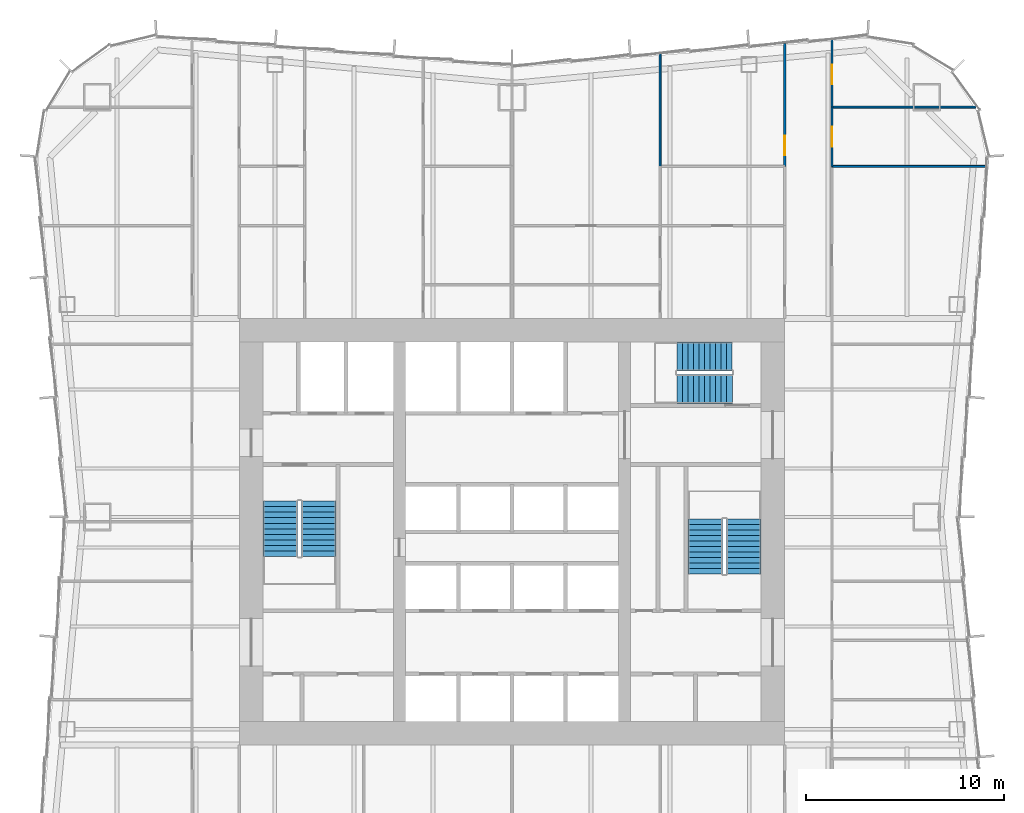
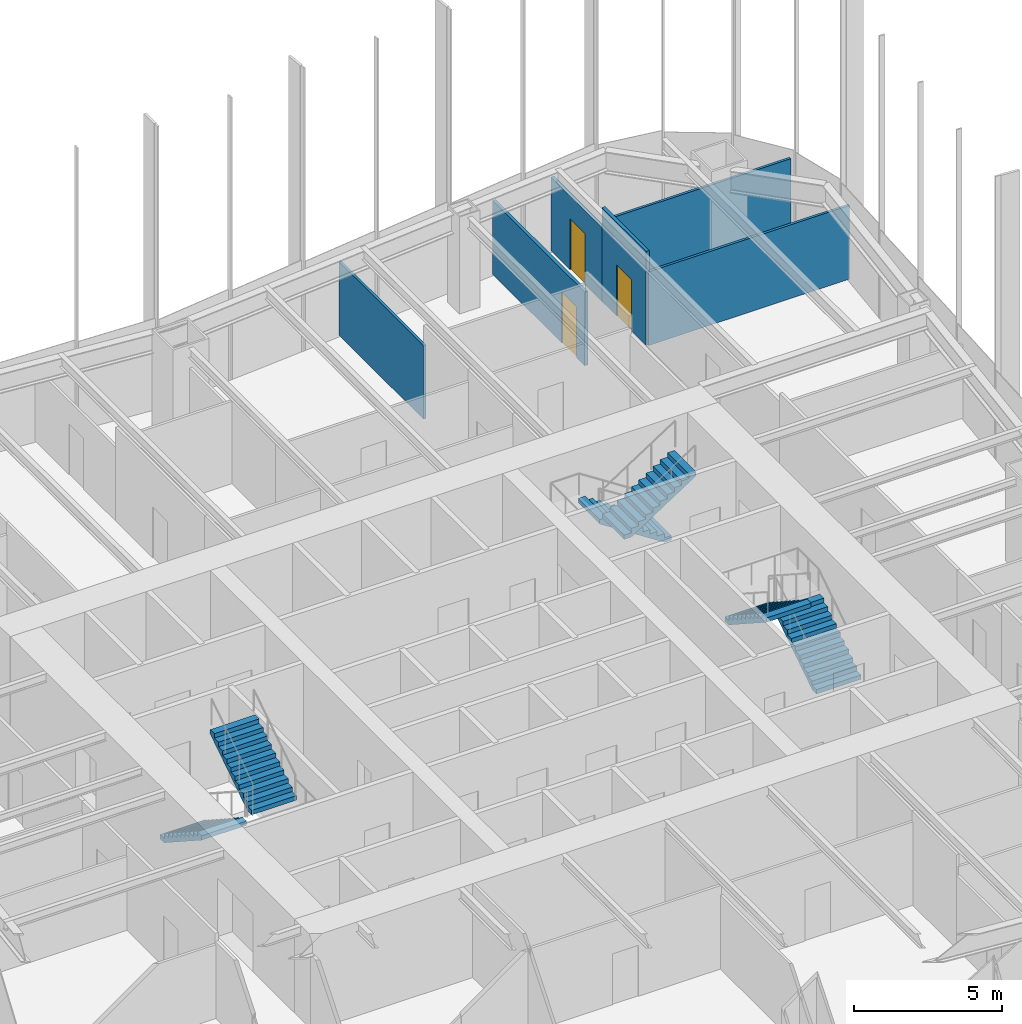
# One storey, part 12 of 13: 6 stair flights, 6 walls, 3 doors, 3 openings, 3 elements without a shape of their own.
"""IFC4 building model written with IfcOpenShell, lengths in metres."""

import ifcopenshell
import ifcopenshell.guid

model = None  # the IFC model being written
_history = None  # IfcOwnerHistory: only IFC2X3 demands one
_inside = {}  # id of a spatial element -> (the spatial element, [elements in it])
_under = {}  # id of a project, library or spatial element -> (it, [spatial elements below it])
_declared = {}  # id of a project -> (the project, [libraries it declares])
_typed = {}  # id of a type object -> (the type object, [elements of that type])
_made_of = {}  # id of a material, layer set ... -> (it, [elements and type objects made of it])


def new_model(schema):
    """Start an empty IFC model of exactly this schema.

    Asked for "IFC4X3", IfcOpenShell would pick the latest addendum, in which some entities
    have other attributes; the version numbers below select the first issue.
    IFC2X3 requires an IfcOwnerHistory on every rooted entity: one is made here for all.
    """
    global model, _history
    if schema == "IFC4X3":
        model = ifcopenshell.file(schema_version=(4, 3, 0, 0))
    else:
        model = ifcopenshell.file(schema=schema)
    _inside.clear()
    _under.clear()
    _declared.clear()
    _typed.clear()
    _made_of.clear()
    _history = None
    if model.schema == "IFC2X3":
        org = make("IfcOrganization", Name="unknown")
        user = make(
            "IfcPersonAndOrganization",
            ThePerson=make("IfcPerson", FamilyName="unknown"),
            TheOrganization=org,
        )
        app = make(
            "IfcApplication",
            ApplicationDeveloper=org,
            Version="unknown",
            ApplicationFullName="unknown",
            ApplicationIdentifier="unknown",
        )
        _history = make(
            "IfcOwnerHistory",
            OwningUser=user,
            OwningApplication=app,
            ChangeAction="ADDED",
            CreationDate=0,
        )
    return model


def make(cls, **values):
    """One entity of the class cls with the attributes given. An attribute that is None is left unset."""
    return model.create_entity(
        cls, **{name: value for name, value in values.items() if value is not None}
    )


def rooted(cls, **values):
    """An entity with a GlobalId (a new one), such as an element, a storey or a relation."""
    return make(cls, GlobalId=ifcopenshell.guid.new(), OwnerHistory=_history, **values)


def si_unit(unit_type, name, prefix=None):
    """IfcSIUnit, for example si_unit("LENGTHUNIT", "METRE", prefix="MILLI")."""
    return make("IfcSIUnit", UnitType=unit_type, Prefix=prefix, Name=name)


def assignment(units):
    """IfcUnitAssignment: the units of a project."""
    return None if units is None else make("IfcUnitAssignment", Units=units)


def point(xyz):
    """IfcCartesianPoint."""
    return None if xyz is None else make("IfcCartesianPoint", Coordinates=xyz)


def direction(xyz):
    """IfcDirection."""
    return None if xyz is None else make("IfcDirection", DirectionRatios=xyz)


def frame(location, z_axis=None, x_axis=None):
    """IfcAxis2Placement3D, a coordinate frame: its origin and axes. An axis left out is left unset."""
    return make(
        "IfcAxis2Placement3D",
        Location=point(location),
        Axis=direction(z_axis),
        RefDirection=direction(x_axis),
    )


def frame_2d(location, x_axis=None):
    """IfcAxis2Placement2D, a coordinate frame in the plane: its origin and x axis."""
    return make(
        "IfcAxis2Placement2D", Location=point(location), RefDirection=direction(x_axis)
    )


def origin():
    """The frame at (0, 0, 0) with its axes left unset."""
    return frame((0.0, 0.0, 0.0))


def place(relative_to, where):
    """IfcLocalPlacement: puts the frame where relative to a parent placement (None: the world)."""
    return make(
        "IfcLocalPlacement", PlacementRelTo=relative_to, RelativePlacement=where
    )


def context(
    kind, dimensions, precision=None, world=None, true_north=None, identifier=None
):
    """IfcGeometricRepresentationContext, for example the 3D "Model" context."""
    return make(
        "IfcGeometricRepresentationContext",
        ContextIdentifier=identifier,
        ContextType=kind,
        CoordinateSpaceDimension=dimensions,
        Precision=precision,
        WorldCoordinateSystem=world,
        TrueNorth=true_north,
    )


def subcontext(parent, identifier, kind, view, scale=None):
    """IfcGeometricRepresentationSubContext, for example "Body" below "Model"."""
    return make(
        "IfcGeometricRepresentationSubContext",
        ContextIdentifier=identifier,
        ContextType=kind,
        ParentContext=parent,
        TargetScale=scale,
        TargetView=view,
    )


def project(units=None, contexts=None):
    """IfcProject with its units and contexts."""
    return rooted(
        "IfcProject",
        Name="project",
        RepresentationContexts=contexts,
        UnitsInContext=assignment(units),
    )


def spatial(cls, under=None, at=None, **own):
    """A site, building, storey or space (cls), placed at a placement, below another one or the project."""
    s = rooted(cls, ObjectPlacement=at, **own)
    if under is not None:
        _under.setdefault(under.id(), (under, []))[1].append(s)
    return s


def polyline(points):
    """IfcPolyline through the points."""
    return make("IfcPolyline", Points=[point(p) for p in points])


def profile(cls, at=None, kind="AREA", **sizes):
    """A parametric profile (cls). Its sizes go by their IFC names, for example OverallWidth=200.0."""
    return make(cls, ProfileType=kind, Position=at, **sizes)


def rectangle(**sizes):
    """IfcRectangleProfileDef."""
    return profile("IfcRectangleProfileDef", **sizes)


def outline(outer, holes=None, kind="AREA"):
    """IfcArbitraryClosedProfileDef: a profile drawn as a closed curve; with holes, ...WithVoids."""
    if holes is None:
        return make("IfcArbitraryClosedProfileDef", ProfileType=kind, OuterCurve=outer)
    return make(
        "IfcArbitraryProfileDefWithVoids",
        ProfileType=kind,
        OuterCurve=outer,
        InnerCurves=holes,
    )


def extrude(swept, where, along, depth):
    """IfcExtrudedAreaSolid: the profile swept, set in the frame where, extruded along a direction by depth."""
    return make(
        "IfcExtrudedAreaSolid",
        SweptArea=swept,
        Position=where,
        ExtrudedDirection=direction(along),
        Depth=depth,
    )


def shape(context_of_items, identifier, shape_type, items):
    """IfcShapeRepresentation: the items that make up one representation, for example the "Body"."""
    return make(
        "IfcShapeRepresentation",
        ContextOfItems=context_of_items,
        RepresentationIdentifier=identifier,
        RepresentationType=shape_type,
        Items=items,
    )


def material(Name=None, Category=None):
    """IfcMaterial."""
    return make("IfcMaterial", Name=Name, Category=Category)


def layer(
    of_material, thickness, ventilated=None, Name=None, Category=None, Priority=None
):
    """IfcMaterialLayer: one layer of a wall or slab, of a material (None: an air gap)."""
    return make(
        "IfcMaterialLayer",
        Material=of_material,
        LayerThickness=thickness,
        IsVentilated=ventilated,
        Name=Name,
        Category=Category,
        Priority=Priority,
    )


def layer_set(layers, Name=None):
    """IfcMaterialLayerSet."""
    return make("IfcMaterialLayerSet", MaterialLayers=layers, LayerSetName=Name)


def made_of(thing, what):
    """Note that an element or type object is made of a material, layer set ...; save() writes the relation."""
    if what is not None:
        _made_of.setdefault(what.id(), (what, []))[1].append(thing)
    return thing


def type_object(cls, material=None, **own):
    """A type object (cls), such as IfcWallType, which elements share."""
    return made_of(rooted(cls, **own), material)


def element(
    cls,
    number,
    at=None,
    inside=None,
    cuts=None,
    type_object=None,
    material=None,
    context=None,
    identifier="Body",
    shape_type=None,
    held_by="IfcProductDefinitionShape",
    body=None,
    shapes=None,
    **own,
):
    """One element of the class cls, such as IfcWall. Its Tag is "e" and its number.

    at: its placement. inside: the storey or other place that contains it. cuts: it is an
    opening in that element (IfcRelVoidsElement). A single representation is given by context,
    identifier, shape_type and body (its items); several are given by shapes. held_by: the class
    of the entity that holds the representations. save() writes the other relations.
    """
    e = rooted(cls, Tag="e%d" % number, ObjectPlacement=at, **own)
    if body is not None:
        shapes = [shape(context, identifier, shape_type, body)]
    if shapes is not None:
        e.Representation = make(held_by, Representations=shapes)
    if inside is not None:
        _inside.setdefault(inside.id(), (inside, []))[1].append(e)
    if cuts is not None:
        rooted(
            "IfcRelVoidsElement", RelatingBuildingElement=cuts, RelatedOpeningElement=e
        )
    if type_object is not None:
        _typed.setdefault(type_object.id(), (type_object, []))[1].append(e)
    return made_of(e, material)


def fill(opening, filler):
    """IfcRelFillsElement: the door or window that sits in an opening."""
    return rooted(
        "IfcRelFillsElement",
        RelatingOpeningElement=opening,
        RelatedBuildingElement=filler,
    )


def aggregate(whole, parts):
    """IfcRelAggregates: a whole, such as a stair, and the parts it consists of."""
    return rooted("IfcRelAggregates", RelatingObject=whole, RelatedObjects=parts)


def save(model, path):
    """Write the relations noted so far, then the file.

    IfcRelAggregates (storeys below a building ...), IfcRelContainedInSpatialStructure (elements
    in a storey), IfcRelDefinesByType, IfcRelAssociatesMaterial and IfcRelDeclares: one each for
    every whole, place, type object, material and project.
    """
    for whole, parts in _under.values():
        aggregate(whole, parts)
    for where, things in _inside.values():
        rooted(
            "IfcRelContainedInSpatialStructure",
            RelatedElements=things,
            RelatingStructure=where,
        )
    for kind, things in _typed.values():
        rooted("IfcRelDefinesByType", RelatedObjects=things, RelatingType=kind)
    for what, things in _made_of.values():
        rooted("IfcRelAssociatesMaterial", RelatedObjects=things, RelatingMaterial=what)
    for by, libraries in _declared.values():
        rooted("IfcRelDeclares", RelatingContext=by, RelatedDefinitions=libraries)
    model.write(path)


model = new_model("IFC4")

# Units and contexts
model_context = context("Model", 3, precision=1e-05, world=origin(), true_north=direction((0.0, 1.0)))
body_context = subcontext(model_context, "Body", "Model", "MODEL_VIEW")
ifc_project = project(units=[si_unit("LENGTHUNIT", "METRE"), si_unit("AREAUNIT", "SQUARE_METRE"), si_unit("VOLUMEUNIT", "CUBIC_METRE"), si_unit("PLANEANGLEUNIT", "RADIAN"), si_unit("MASSUNIT", "GRAM", prefix="KILO")], contexts=[model_context])

# Site, building, storey
site_placement = place(None, origin())
site = spatial("IfcSite", under=ifc_project, at=site_placement, CompositionType="ELEMENT")
building_placement = place(site_placement, origin())
building = spatial("IfcBuilding", under=site, at=building_placement, Name="Verdant Reach Tower", CompositionType="ELEMENT")
storey_placement = place(building_placement, frame((0.0, 0.0, 70.0)))
storey = spatial("IfcBuildingStorey", under=building, at=storey_placement, Name="L15", CompositionType="ELEMENT", Elevation=70.0)

# Walls
ifc_material_1 = material(Name="Gypsum board on steel studs", Category="steel")
ifc_layer_1 = layer(ifc_material_1, 0.10009765625)
ifc_layer_set_1 = layer_set([ifc_layer_1], Name="FL-W1 Partition 100")
wall_type_1 = type_object("IfcWallType", Name="FL-W1 Partition 100", PredefinedType="PARTITIONING", material=ifc_layer_set_1)
wall_1_placement = place(storey_placement, frame((24.038818359375, 46.5, 0.0), z_axis=(0.0, 0.0, 1.0), x_axis=(-1.0, 0.0, 0.0)))
element("IfcWall", 1, at=wall_1_placement, inside=storey, type_object=wall_type_1, Name="Partition 15.41", PredefinedType="PARTITIONING", context=body_context, shape_type="SweptSolid", body=[
    extrude(rectangle(XDim=7.8388671875, YDim=0.10009765625, at=frame_2d((3.91943359375, 0.0))), origin(), (0.0, 0.0, 1.0), 3.0400390625),
])
wall_2_placement = place(storey_placement, frame((23.487060546875, 49.5, 0.0), z_axis=(0.0, 0.0, 1.0), x_axis=(-1.0, 0.0, 0.0)))
element("IfcWall", 2, at=wall_2_placement, inside=storey, type_object=wall_type_1, Name="Partition 15.42", PredefinedType="PARTITIONING", context=body_context, shape_type="SweptSolid", body=[
    extrude(rectangle(XDim=7.287109375, YDim=0.10009765625, at=frame_2d((3.6435546875, 0.0))), origin(), (0.0, 0.0, 1.0), 3.340087890625),
])
wall_3_placement = place(storey_placement, frame((7.5, 52.205078125, 0.0), z_axis=(0.0, 0.0, 1.0), x_axis=(0.0, -1.0, 0.0)))
element("IfcWall", 3, at=wall_3_placement, inside=storey, type_object=wall_type_1, Name="Partition 15.76", PredefinedType="PARTITIONING", context=body_context, shape_type="SweptSolid", body=[
    extrude(rectangle(XDim=5.708984375, YDim=0.10009765625, at=frame_2d((2.8544921875, 0.0))), origin(), (0.0, 0.0, 1.0), 3.0400390625),
])

# Wall, opening, door
ifc_material_2 = material(Name="Gypsum board on steel studs, fire rated", Category="steel")
ifc_layer_2 = layer(ifc_material_2, 0.125)
ifc_layer_set_2 = layer_set([ifc_layer_2], Name="FL-W2 Corridor wall 125")
wall_type_2 = type_object("IfcWallType", Name="FL-W2 Corridor wall 125", PredefinedType="PARTITIONING", material=ifc_layer_set_2)
wall_4_placement = place(storey_placement, frame((16.199951171875, 49.5, 0.0), z_axis=(0.0, 0.0, 1.0), x_axis=(0.0, -1.0, 0.0)))
wall_4 = element("IfcWall", 4, at=wall_4_placement, inside=storey, type_object=wall_type_2, Name="Partition 15.21", PredefinedType="PARTITIONING", context=body_context, shape_type="SweptSolid", body=[
    extrude(rectangle(XDim=3.0, YDim=0.125, at=frame_2d((1.5, 0.0))), origin(), (0.0, 0.0, 1.0), 3.8701171875),
])
opening_1_placement = place(wall_4_placement, frame((1.0, 0.0, 0.0)))
opening_1 = element("IfcOpeningElement", 5, at=opening_1_placement, cuts=wall_4, Name="Opening D2", PredefinedType="OPENING", context=body_context, shape_type="SweptSolid", body=[
    extrude(rectangle(XDim=1.0, YDim=2.10009765625, at=frame_2d((0.5, 1.050048828125))), frame((0.0, 0.072509765625, 0.0), z_axis=(0.0, -1.0, 0.0), x_axis=(1.0, 0.0, 0.0)), (0.0, 0.0, 1.0), 0.14501953125),
])
ifc_material_3 = material(Name="Timber door leaf, fire rated", Category="wood")
door_type = type_object("IfcDoorType", Name="FL-D2 Entrance door 1000x2100 FD30", OperationType="NOTDEFINED", PredefinedType="DOOR", material=ifc_material_3)
door_1_placement = place(opening_1_placement, origin())
door_1 = element("IfcDoor", 6, at=door_1_placement, inside=storey, type_object=door_type, Name="Door 15-017", OperationType="SINGLE_SWING_LEFT", OverallHeight=2.10009765625, OverallWidth=1.0, PredefinedType="DOOR", context=body_context, shape_type="SweptSolid", body=[
    extrude(rectangle(XDim=1.0, YDim=2.10009765625, at=frame_2d((0.5, 1.050048828125))), frame((0.0, 0.02490234375, 0.0), z_axis=(0.0, -1.0, 0.0), x_axis=(1.0, 0.0, 0.0)), (0.0, 0.0, 1.0), 0.050048828125),
])
fill(opening_1, door_1)

wall_5_placement = place(storey_placement, frame((16.199951171875, 52.929931640625, 0.0), z_axis=(0.0, 0.0, 1.0), x_axis=(0.0, -1.0, 0.0)))
wall_5 = element("IfcWall", 7, at=wall_5_placement, inside=storey, type_object=wall_type_2, Name="Partition 15.22", PredefinedType="PARTITIONING", context=body_context, shape_type="SweptSolid", body=[
    extrude(rectangle(XDim=3.429931640625, YDim=0.125, at=frame_2d((1.71484375, 0.0))), origin(), (0.0, 0.0, 1.0), 3.0400390625),
])
opening_2_placement = place(wall_5_placement, frame((1.280029296875, 0.0, 0.0)))
opening_2 = element("IfcOpeningElement", 8, at=opening_2_placement, cuts=wall_5, Name="Opening D2", PredefinedType="OPENING", context=body_context, shape_type="SweptSolid", body=[
    extrude(rectangle(XDim=1.0, YDim=2.10009765625, at=frame_2d((0.5, 1.050048828125))), frame((0.0, 0.072509765625, 0.0), z_axis=(0.0, -1.0, 0.0), x_axis=(1.0, 0.0, 0.0)), (0.0, 0.0, 1.0), 0.14501953125),
])
door_2_placement = place(opening_2_placement, origin())
door_2 = element("IfcDoor", 9, at=door_2_placement, inside=storey, type_object=door_type, Name="Door 15-018", OperationType="SINGLE_SWING_RIGHT", OverallHeight=2.10009765625, OverallWidth=1.0, PredefinedType="DOOR", context=body_context, shape_type="SweptSolid", body=[
    extrude(rectangle(XDim=1.0, YDim=2.10009765625, at=frame_2d((0.5, 1.050048828125))), frame((0.0, 0.02490234375, 0.0), z_axis=(0.0, -1.0, 0.0), x_axis=(1.0, 0.0, 0.0)), (0.0, 0.0, 1.0), 0.050048828125),
])
fill(opening_2, door_2)

wall_6_placement = place(storey_placement, frame((13.800048828125, 46.5, 0.0), z_axis=(0.0, 0.0, 1.0), x_axis=(0.0, 1.0, 0.0)))
wall_6 = element("IfcWall", 10, at=wall_6_placement, inside=storey, type_object=wall_type_2, Name="Partition 15.28", PredefinedType="PARTITIONING", context=body_context, shape_type="SweptSolid", body=[
    extrude(rectangle(XDim=6.22998046875, YDim=0.125, at=frame_2d((3.114990234375, 0.0))), origin(), (0.0, 0.0, 1.0), 3.0400390625),
])
opening_3_placement = place(wall_6_placement, frame((0.5498046875, 0.0, 0.0)))
opening_3 = element("IfcOpeningElement", 11, at=opening_3_placement, cuts=wall_6, Name="Opening D2", PredefinedType="OPENING", context=body_context, shape_type="SweptSolid", body=[
    extrude(rectangle(XDim=1.0, YDim=2.10009765625, at=frame_2d((0.5, 1.050048828125))), frame((0.0, 0.072509765625, 0.0), z_axis=(0.0, -1.0, 0.0), x_axis=(1.0, 0.0, 0.0)), (0.0, 0.0, 1.0), 0.14501953125),
])
door_3_placement = place(opening_3_placement, origin())
door_3 = element("IfcDoor", 12, at=door_3_placement, inside=storey, type_object=door_type, Name="Door 15-022", OperationType="SINGLE_SWING_LEFT", OverallHeight=2.10009765625, OverallWidth=1.0, PredefinedType="DOOR", context=body_context, shape_type="SweptSolid", body=[
    extrude(rectangle(XDim=1.0, YDim=2.10009765625, at=frame_2d((0.5, 1.050048828125))), frame((0.0, 0.02490234375, 0.0), z_axis=(0.0, -1.0, 0.0), x_axis=(1.0, 0.0, 0.0)), (0.0, 0.0, 1.0), 0.050048828125),
])
fill(opening_3, door_3)

# Stair, stair flights
ifc_material_4 = material(Name="Concrete C40/50", Category="concrete")
stair_type = type_object("IfcStairType", Name="CO-STAIR", PredefinedType="HALF_TURN_STAIR", material=ifc_material_4)
stair_1_placement = place(storey_placement, origin())
stair_1 = element("IfcStair", 13, at=stair_1_placement, inside=storey, type_object=stair_type, Name="L15 Exit stair 1", PredefinedType="HALF_TURN_STAIR")
stair_flight_type = type_object("IfcStairFlightType", Name="CO-STAIR-FLIGHT", PredefinedType="STRAIGHT", material=ifc_material_4)
stair_flight_1_placement = place(storey_placement, frame((-11.72509765625, 29.550048828125, 0.0), z_axis=(0.0, 0.0, 1.0), x_axis=(0.0, -1.0, 0.0)))
stair_flight_1 = element("IfcStairFlight", 14, at=stair_flight_1_placement, type_object=stair_flight_type, Name="ST-1 flight 1", NumberOfRisers=11, NumberOfTreads=10, PredefinedType="STRAIGHT", RiserHeight=0.181818182, TreadLength=0.28, context=body_context, shape_type="SweptSolid", body=[
    extrude(outline(polyline([(0.0, 0.0), (0.0, 0.181884765625), (0.280029296875, 0.181884765625), (0.280029296875, 0.363525390625), (0.56005859375, 0.363525390625), (0.56005859375, 0.54541015625), (0.840087890625, 0.54541015625), (0.840087890625, 0.727294921875), (1.1201171875, 0.727294921875), (1.1201171875, 0.9091796875), (1.39990234375, 0.9091796875), (1.39990234375, 1.0908203125), (1.679931640625, 1.0908203125), (1.679931640625, 1.272705078125), (1.9599609375, 1.272705078125), (1.9599609375, 1.45458984375), (2.239990234375, 1.45458984375), (2.239990234375, 1.636474609375), (2.52001953125, 1.636474609375), (2.52001953125, 1.818115234375), (2.800048828125, 1.818115234375), (2.800048828125, 2.0), (2.800048828125, 1.639404296875), (0.275146484375, 0.0), (0.0, 0.0)])), frame((0.0, 0.875, 0.0), z_axis=(0.0, -1.0, 0.0), x_axis=(1.0, 0.0, 0.0)), (0.0, 0.0, 1.0), 1.75),
])
stair_flight_2_placement = place(storey_placement, frame((-9.77490234375, 26.75, 2.0), z_axis=(0.0, 0.0, 1.0), x_axis=(0.0, 1.0, 0.0)))
stair_flight_2 = element("IfcStairFlight", 15, at=stair_flight_2_placement, type_object=stair_flight_type, Name="ST-1 flight 2", NumberOfRisers=11, NumberOfTreads=10, PredefinedType="STRAIGHT", RiserHeight=0.181818182, TreadLength=0.28, context=body_context, shape_type="SweptSolid", body=[
    extrude(outline(polyline([(0.0, 0.0), (0.0, 0.181884765625), (0.280029296875, 0.181884765625), (0.280029296875, 0.363525390625), (0.56005859375, 0.363525390625), (0.56005859375, 0.54541015625), (0.840087890625, 0.54541015625), (0.840087890625, 0.727294921875), (1.1201171875, 0.727294921875), (1.1201171875, 0.9091796875), (1.39990234375, 0.9091796875), (1.39990234375, 1.0908203125), (1.679931640625, 1.0908203125), (1.679931640625, 1.272705078125), (1.9599609375, 1.272705078125), (1.9599609375, 1.45458984375), (2.239990234375, 1.45458984375), (2.239990234375, 1.636474609375), (2.52001953125, 1.636474609375), (2.52001953125, 1.818115234375), (2.800048828125, 1.818115234375), (2.800048828125, 2.0), (2.800048828125, 1.639404296875), (0.275146484375, 0.0), (0.0, 0.0)])), frame((0.0, 0.875, 0.0), z_axis=(0.0, -1.0, 0.0), x_axis=(1.0, 0.0, 0.0)), (0.0, 0.0, 1.0), 1.75),
])
aggregate(stair_1, [stair_flight_1, stair_flight_2])

stair_2_placement = place(storey_placement, origin())
stair_2 = element("IfcStair", 16, at=stair_2_placement, inside=storey, type_object=stair_type, Name="L15 Exit stair 2", PredefinedType="HALF_TURN_STAIR")
stair_flight_3_placement = place(storey_placement, frame((11.72509765625, 25.85009765625, 0.0), z_axis=(0.0, 0.0, 1.0), x_axis=(0.0, 1.0, 0.0)))
stair_flight_3 = element("IfcStairFlight", 17, at=stair_flight_3_placement, type_object=stair_flight_type, Name="ST-2 flight 1", NumberOfRisers=11, NumberOfTreads=10, PredefinedType="STRAIGHT", RiserHeight=0.181818182, TreadLength=0.28, context=body_context, shape_type="SweptSolid", body=[
    extrude(outline(polyline([(0.0, 0.0), (0.0, 0.181884765625), (0.280029296875, 0.181884765625), (0.280029296875, 0.363525390625), (0.56005859375, 0.363525390625), (0.56005859375, 0.54541015625), (0.840087890625, 0.54541015625), (0.840087890625, 0.727294921875), (1.1201171875, 0.727294921875), (1.1201171875, 0.9091796875), (1.39990234375, 0.9091796875), (1.39990234375, 1.0908203125), (1.679931640625, 1.0908203125), (1.679931640625, 1.272705078125), (1.9599609375, 1.272705078125), (1.9599609375, 1.45458984375), (2.239990234375, 1.45458984375), (2.239990234375, 1.636474609375), (2.52001953125, 1.636474609375), (2.52001953125, 1.818115234375), (2.800048828125, 1.818115234375), (2.800048828125, 2.0), (2.800048828125, 1.639404296875), (0.275146484375, 0.0), (0.0, 0.0)])), frame((0.0, 0.875, 0.0), z_axis=(0.0, -1.0, 0.0), x_axis=(1.0, 0.0, 0.0)), (0.0, 0.0, 1.0), 1.75),
])
stair_flight_4_placement = place(storey_placement, frame((9.77490234375, 28.64990234375, 2.0), z_axis=(0.0, 0.0, 1.0), x_axis=(0.0, -1.0, 0.0)))
stair_flight_4 = element("IfcStairFlight", 18, at=stair_flight_4_placement, type_object=stair_flight_type, Name="ST-2 flight 2", NumberOfRisers=11, NumberOfTreads=10, PredefinedType="STRAIGHT", RiserHeight=0.181818182, TreadLength=0.28, context=body_context, shape_type="SweptSolid", body=[
    extrude(outline(polyline([(0.0, 0.0), (0.0, 0.181884765625), (0.280029296875, 0.181884765625), (0.280029296875, 0.363525390625), (0.56005859375, 0.363525390625), (0.56005859375, 0.54541015625), (0.840087890625, 0.54541015625), (0.840087890625, 0.727294921875), (1.1201171875, 0.727294921875), (1.1201171875, 0.9091796875), (1.39990234375, 0.9091796875), (1.39990234375, 1.0908203125), (1.679931640625, 1.0908203125), (1.679931640625, 1.272705078125), (1.9599609375, 1.272705078125), (1.9599609375, 1.45458984375), (2.239990234375, 1.45458984375), (2.239990234375, 1.636474609375), (2.52001953125, 1.636474609375), (2.52001953125, 1.818115234375), (2.800048828125, 1.818115234375), (2.800048828125, 2.0), (2.800048828125, 1.639404296875), (0.275146484375, 0.0), (0.0, 0.0)])), frame((0.0, 0.875, 0.0), z_axis=(0.0, -1.0, 0.0), x_axis=(1.0, 0.0, 0.0)), (0.0, 0.0, 1.0), 1.75),
])
aggregate(stair_2, [stair_flight_3, stair_flight_4])

stair_3_placement = place(storey_placement, origin())
stair_3 = element("IfcStair", 19, at=stair_3_placement, inside=storey, type_object=stair_type, Name="L15 Exit stair 3", PredefinedType="HALF_TURN_STAIR")
stair_flight_5_placement = place(storey_placement, frame((11.14990234375, 36.875, 0.0), z_axis=(0.0, 0.0, 1.0), x_axis=(-1.0, 0.0, 0.0)))
stair_flight_5 = element("IfcStairFlight", 20, at=stair_flight_5_placement, type_object=stair_flight_type, Name="ST-3 flight 1", NumberOfRisers=11, NumberOfTreads=10, PredefinedType="STRAIGHT", RiserHeight=0.181818182, TreadLength=0.28, context=body_context, shape_type="SweptSolid", body=[
    extrude(outline(polyline([(0.0, 0.0), (0.0, 0.181884765625), (0.280029296875, 0.181884765625), (0.280029296875, 0.363525390625), (0.56005859375, 0.363525390625), (0.56005859375, 0.54541015625), (0.840087890625, 0.54541015625), (0.840087890625, 0.727294921875), (1.1201171875, 0.727294921875), (1.1201171875, 0.9091796875), (1.39990234375, 0.9091796875), (1.39990234375, 1.0908203125), (1.679931640625, 1.0908203125), (1.679931640625, 1.272705078125), (1.9599609375, 1.272705078125), (1.9599609375, 1.45458984375), (2.239990234375, 1.45458984375), (2.239990234375, 1.636474609375), (2.52001953125, 1.636474609375), (2.52001953125, 1.818115234375), (2.800048828125, 1.818115234375), (2.800048828125, 2.0), (2.800048828125, 1.639404296875), (0.275146484375, 0.0), (0.0, 0.0)])), frame((0.0, 0.72509765625, 0.0), z_axis=(0.0, -1.0, 0.0), x_axis=(1.0, 0.0, 0.0)), (0.0, 0.0, 1.0), 1.449951171875),
])
stair_flight_6_placement = place(storey_placement, frame((8.35009765625, 35.22509765625, 2.0), z_axis=(0.0, 0.0, 1.0), x_axis=(1.0, 0.0, 0.0)))
stair_flight_6 = element("IfcStairFlight", 21, at=stair_flight_6_placement, type_object=stair_flight_type, Name="ST-3 flight 2", NumberOfRisers=11, NumberOfTreads=10, PredefinedType="STRAIGHT", RiserHeight=0.181818182, TreadLength=0.28, context=body_context, shape_type="SweptSolid", body=[
    extrude(outline(polyline([(0.0, 0.0), (0.0, 0.181884765625), (0.280029296875, 0.181884765625), (0.280029296875, 0.363525390625), (0.56005859375, 0.363525390625), (0.56005859375, 0.54541015625), (0.840087890625, 0.54541015625), (0.840087890625, 0.727294921875), (1.1201171875, 0.727294921875), (1.1201171875, 0.9091796875), (1.39990234375, 0.9091796875), (1.39990234375, 1.0908203125), (1.679931640625, 1.0908203125), (1.679931640625, 1.272705078125), (1.9599609375, 1.272705078125), (1.9599609375, 1.45458984375), (2.239990234375, 1.45458984375), (2.239990234375, 1.636474609375), (2.52001953125, 1.636474609375), (2.52001953125, 1.818115234375), (2.800048828125, 1.818115234375), (2.800048828125, 2.0), (2.800048828125, 1.639404296875), (0.275146484375, 0.0), (0.0, 0.0)])), frame((0.0, 0.72509765625, 0.0), z_axis=(0.0, -1.0, 0.0), x_axis=(1.0, 0.0, 0.0)), (0.0, 0.0, 1.0), 1.449951171875),
])
aggregate(stair_3, [stair_flight_5, stair_flight_6])

save(model, "model.ifc")
